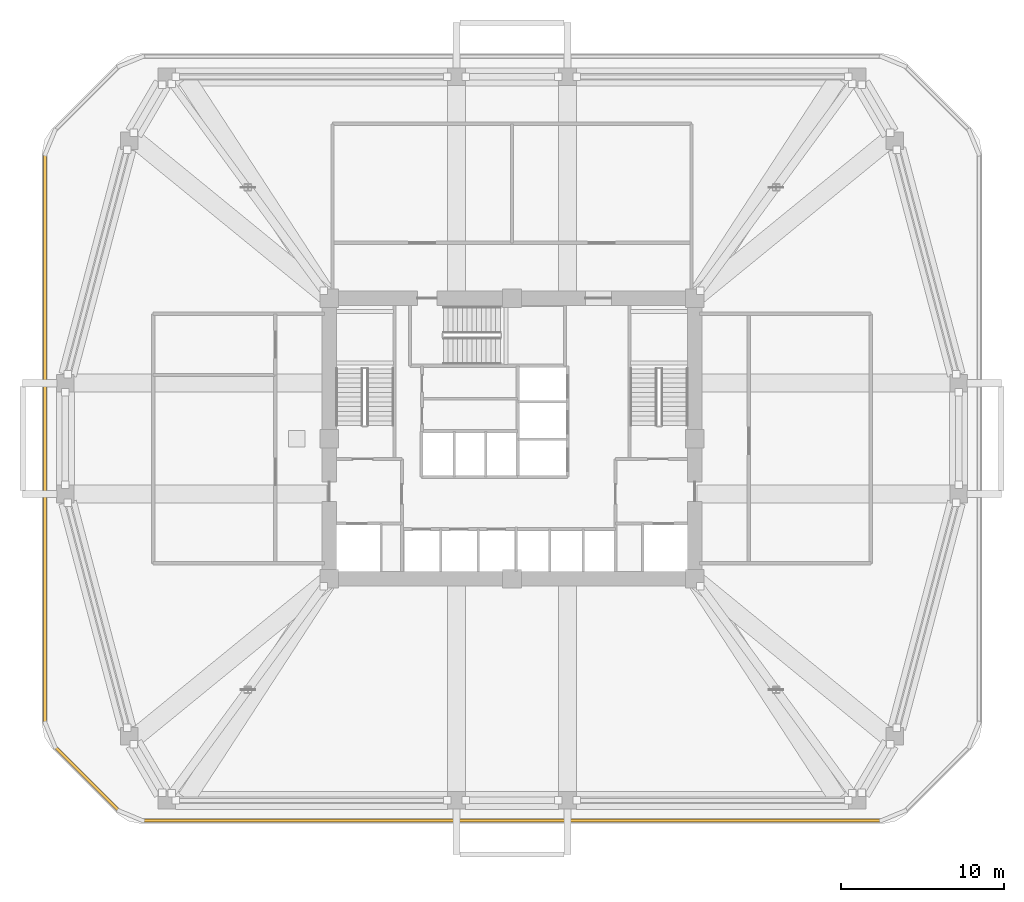
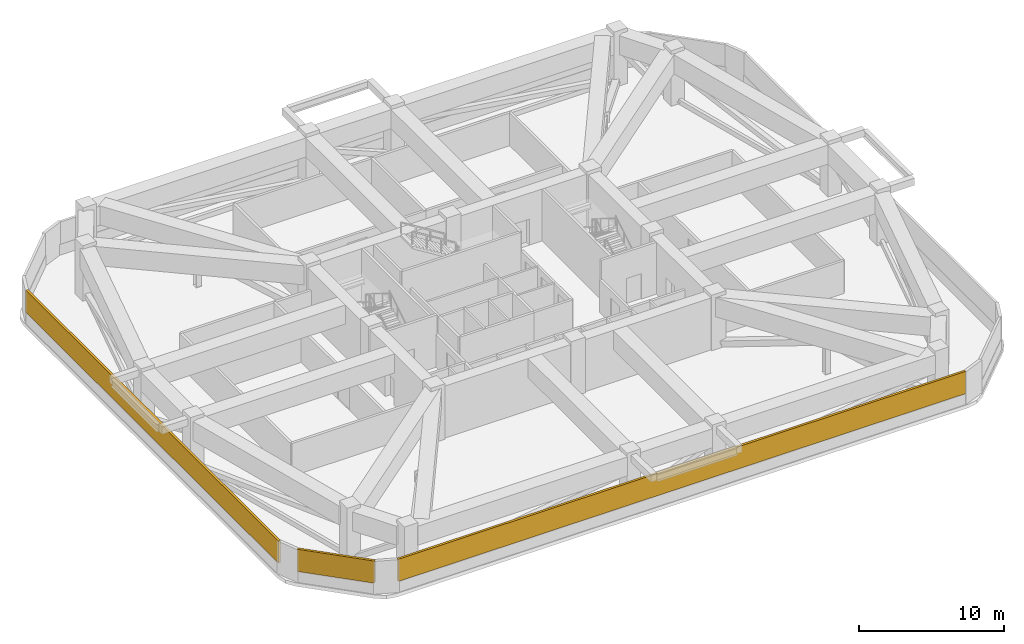
# One storey, part 7 of 10: 3 shading devices.
"""IFC4 building model written with IfcOpenShell, lengths in metres."""

from ifc_helpers import new_model, si_unit, derived_unit, direction, frame, origin, origin_2d, place, context, subcontext, project, spatial, rectangle, extrude, material, layer, layer_set, type_object, element, save


model = new_model("IFC4")

# Units and contexts
model_context = context("Model", 3, precision=1e-05, world=origin(), true_north=direction((0.0, 1.0)))
body_context = subcontext(model_context, "Body", "Model", "MODEL_VIEW")
ifc_project = project(units=[si_unit("LENGTHUNIT", "METRE"), si_unit("AREAUNIT", "SQUARE_METRE"), si_unit("VOLUMEUNIT", "CUBIC_METRE"), si_unit("PLANEANGLEUNIT", "RADIAN"), si_unit("MASSUNIT", "GRAM", prefix="KILO"), derived_unit("THERMALTRANSMITTANCEUNIT", [(si_unit("POWERUNIT", "WATT"), 1), (si_unit("LENGTHUNIT", "METRE"), -2), (si_unit("THERMODYNAMICTEMPERATUREUNIT", "KELVIN"), -1)])], contexts=[model_context])

# Site, building, storey
site_placement = place(None, origin())
site = spatial("IfcSite", under=ifc_project, at=site_placement, CompositionType="ELEMENT")
building_placement = place(site_placement, origin())
building = spatial("IfcBuilding", under=site, at=building_placement, Name="Koralith Skygarden Medical Center", CompositionType="ELEMENT")
storey_placement = place(building_placement, frame((0.0, 0.0, 70.739990234375)))
storey = spatial("IfcBuildingStorey", under=building, at=storey_placement, Name="L18", CompositionType="ELEMENT", Elevation=70.739990234375)

# Shading devices
ifc_material = material(Name="Aluminium 6063-T6", Category="aluminium")
ifc_layer = layer(ifc_material, 0.179931640625)
ifc_layer_set = layer_set([ifc_layer], Name="Aluminium 6063-T6")
shading_device_type = type_object("IfcShadingDeviceType", Name="Mechanical Plant Acoustic Hurricane Louvre", PredefinedType="JALOUSIE", material=ifc_layer_set)
shading_device_1_placement = place(storey_placement, frame((37.0, 2.47998046875, 0.89990234375), z_axis=(0.0, 0.0, 1.0), x_axis=(1.0, 0.0, 0.0)))
element("IfcShadingDevice", 1, at=shading_device_1_placement, inside=storey, type_object=shading_device_type, Name="L18 Plant Acoustic Hurricane Louvre S", PredefinedType="JALOUSIE", context=body_context, shape_type="SweptSolid", body=[
    extrude(rectangle(XDim=45.2890625, YDim=0.179931640625, at=origin_2d()), origin(), (0.0, 0.0, 1.0), 1.8701171875),
])
shading_device_2_placement = place(storey_placement, frame((8.3798828125, 25.89990234375, 0.89990234375), z_axis=(0.0, 0.0, 1.0), x_axis=(0.0, -1.0, 0.0)))
element("IfcShadingDevice", 2, at=shading_device_2_placement, inside=storey, type_object=shading_device_type, Name="L18 Plant Acoustic Hurricane Louvre W", PredefinedType="JALOUSIE", context=body_context, shape_type="SweptSolid", body=[
    extrude(rectangle(XDim=34.888916015625, YDim=0.179931640625, at=origin_2d()), origin(), (0.0, 0.0, 1.0), 1.8701171875),
])
shading_device_3_placement = place(storey_placement, frame((10.94189453125, 5.0419921875, 0.89990234375), z_axis=(0.0, 0.0, 1.0), x_axis=(0.707106781187, -0.707106781187, 0.0)))
element("IfcShadingDevice", 3, at=shading_device_3_placement, inside=storey, type_object=shading_device_type, Name="L18 Plant Acoustic Hurricane Louvre SW", PredefinedType="JALOUSIE", context=body_context, shape_type="SweptSolid", body=[
    extrude(rectangle(XDim=5.548095703125, YDim=0.179931640625, at=origin_2d()), origin(), (0.0, 0.0, 1.0), 1.8701171875),
])

save(model, "model.ifc")
